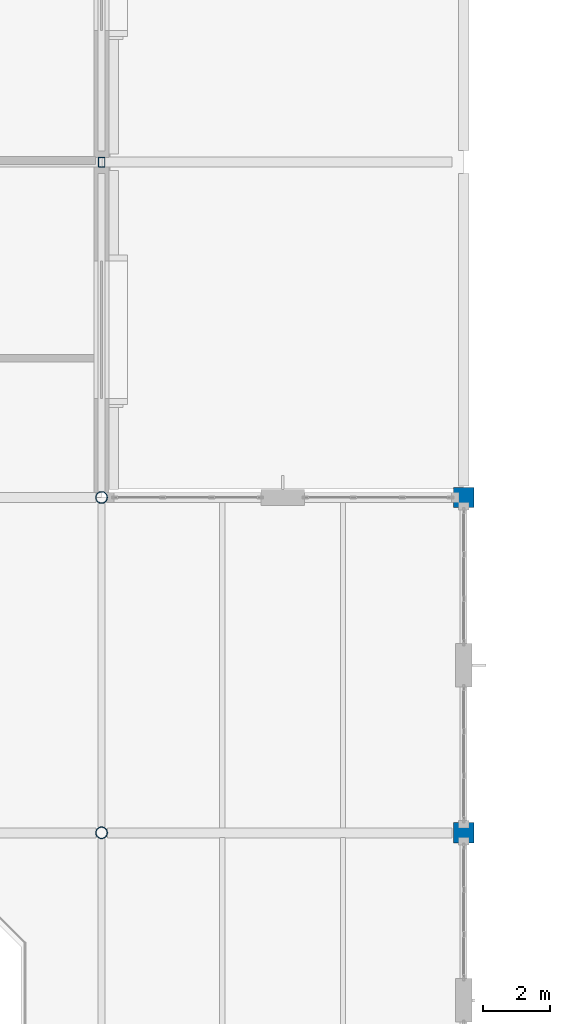
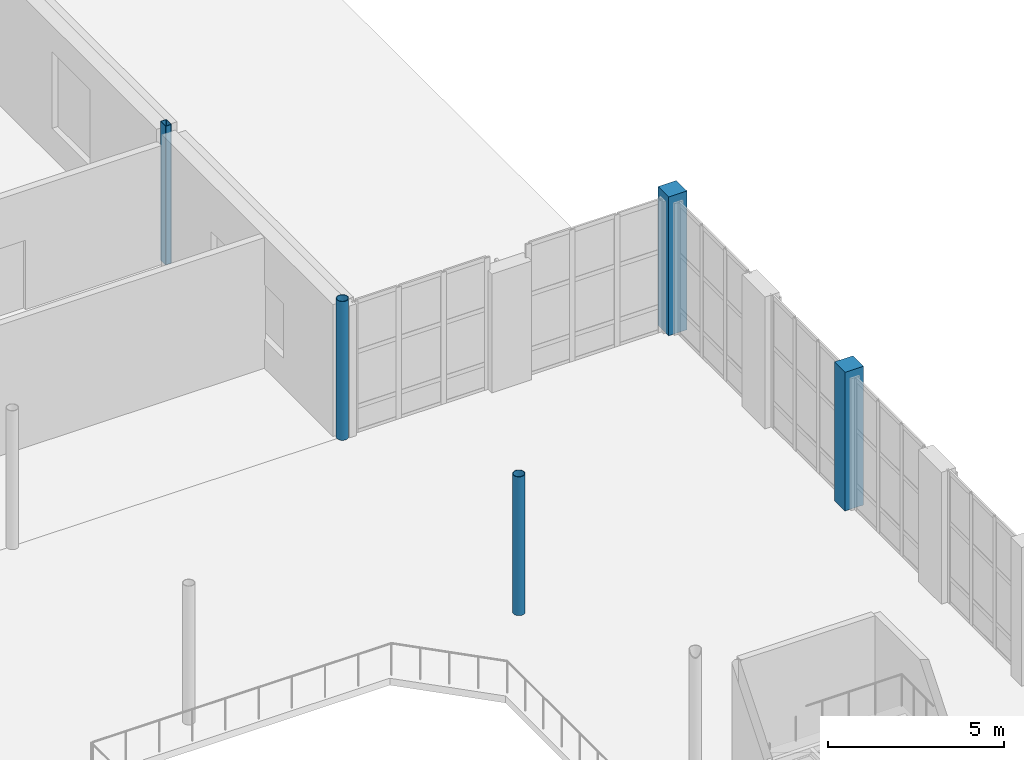
# One storey, part 11 of 100: 5 columns.
"""IFC4 building model written with IfcOpenShell, lengths in metres."""

from ifc_helpers import new_model, si_unit, direction, frame, origin, origin_2d, place, context, subcontext, project, spatial, rectangle, hollow_rectangle, hollow_circle, extrude, material, material_profile, profile_set, type_object, element, save


model = new_model("IFC4")

# Units and contexts
model_context = context("Model", 3, precision=1e-05, world=origin(), true_north=direction((0.0, 1.0)))
body_context = subcontext(model_context, "Body", "Model", "MODEL_VIEW")
ifc_project = project(units=[si_unit("LENGTHUNIT", "METRE"), si_unit("AREAUNIT", "SQUARE_METRE"), si_unit("VOLUMEUNIT", "CUBIC_METRE"), si_unit("PLANEANGLEUNIT", "RADIAN"), si_unit("MASSUNIT", "GRAM", prefix="KILO")], contexts=[model_context])

# Site, building, storey
site_placement = place(None, origin())
site = spatial("IfcSite", under=ifc_project, at=site_placement, CompositionType="ELEMENT")
building_placement = place(site_placement, origin())
building = spatial("IfcBuilding", under=site, at=building_placement, Name="Tasgan Crest Museum", CompositionType="ELEMENT")
storey_placement = place(building_placement, frame((0.0, 0.0, 9.60009765625)))
storey = spatial("IfcBuildingStorey", under=building, at=storey_placement, Name="L02", CompositionType="ELEMENT", Elevation=9.60009765625)

# Columns
ifc_material_1 = material(Name="Steel S355K2", Category="steel")
ifc_material_profile_1 = material_profile(ifc_material_1, hollow_circle(Radius=0.177734375, WallThickness=0.01611328125, at=origin_2d()), Name="CHS 355.6x16")
ifc_profile_set_1 = profile_set([ifc_material_profile_1], Name="Steel S355K2")
column_type_1 = type_object("IfcColumnType", Name="COL-CHS355", PredefinedType="COLUMN", material=ifc_profile_set_1)
for number, where, z_axis, x_axis, name in (
    (1, (97.199951171875, 72.0, 0.0), (0.0, 0.0, 1.0), (1.0, 0.0, 0.0), "Column 10/H L02"),
    (2, (97.199951171875, 82.0, 0.0), (0.0, 0.0, 1.0), (1.0, 0.0, 0.0), "Column 10/J L02"),
):
    element("IfcColumn", number, at=place(storey_placement, frame(where, z_axis=z_axis, x_axis=x_axis)), inside=storey, type_object=column_type_1, Name=name, PredefinedType="COLUMN", context=body_context, shape_type="SweptSolid", body=[
        extrude(hollow_circle(Radius=0.177734375, WallThickness=0.01611328125, at=origin_2d()), origin(), (0.0, 0.0, 1.0), 4.7998046875),
    ])
ifc_material_2 = material(Name="Concrete C40/50", Category="concrete")
ifc_material_profile_2 = material_profile(ifc_material_2, rectangle(XDim=0.60009765625, YDim=0.60009765625, at=origin_2d()), Name="RC 600x600")
ifc_profile_set_2 = profile_set([ifc_material_profile_2], Name="Concrete C40/50")
column_type_2 = type_object("IfcColumnType", Name="COL-RC600", PredefinedType="COLUMN", material=ifc_profile_set_2)
for number, where, z_axis, x_axis, name in (
    (3, (108.0, 72.0, 0.0), (0.0, 0.0, 1.0), (1.0, 0.0, 0.0), "Column 11/H L02"),
    (4, (108.0, 82.0, 0.0), (0.0, 0.0, 1.0), (1.0, 0.0, 0.0), "Column 11/J L02"),
):
    element("IfcColumn", number, at=place(storey_placement, frame(where, z_axis=z_axis, x_axis=x_axis)), inside=storey, type_object=column_type_2, Name=name, PredefinedType="COLUMN", context=body_context, shape_type="SweptSolid", body=[
        extrude(rectangle(XDim=0.60009765625, YDim=0.60009765625, at=origin_2d()), origin(), (0.0, 0.0, 1.0), 4.7998046875),
    ])
ifc_material_3 = material(Name="Steel S355K2", Category="steel")
ifc_material_profile_3 = material_profile(ifc_material_3, hollow_rectangle(XDim=0.199951171875, YDim=0.300048828125, WallThickness=0.012451171875, InnerFilletRadius=0.012451171875, OuterFilletRadius=0.02490234375, at=origin_2d()), Name="RHS 300x200x12.5")
ifc_profile_set_3 = profile_set([ifc_material_profile_3], Name="Steel S355K2")
column_type_3 = type_object("IfcColumnType", Name="COL-RHS300", PredefinedType="COLUMN", material=ifc_profile_set_3)
column_placement = place(storey_placement, frame((97.199951171875, 92.0, 0.0), z_axis=(0.0, 0.0, 1.0), x_axis=(1.0, 0.0, 0.0)))
element("IfcColumn", 5, at=column_placement, inside=storey, type_object=column_type_3, Name="Column 10/K L02", PredefinedType="COLUMN", context=body_context, shape_type="SweptSolid", body=[
    extrude(hollow_rectangle(XDim=0.199951171875, YDim=0.300048828125, WallThickness=0.012451171875, InnerFilletRadius=0.012451171875, OuterFilletRadius=0.02490234375, at=origin_2d()), origin(), (0.0, 0.0, 1.0), 4.7998046875),
])

save(model, "model.ifc")
